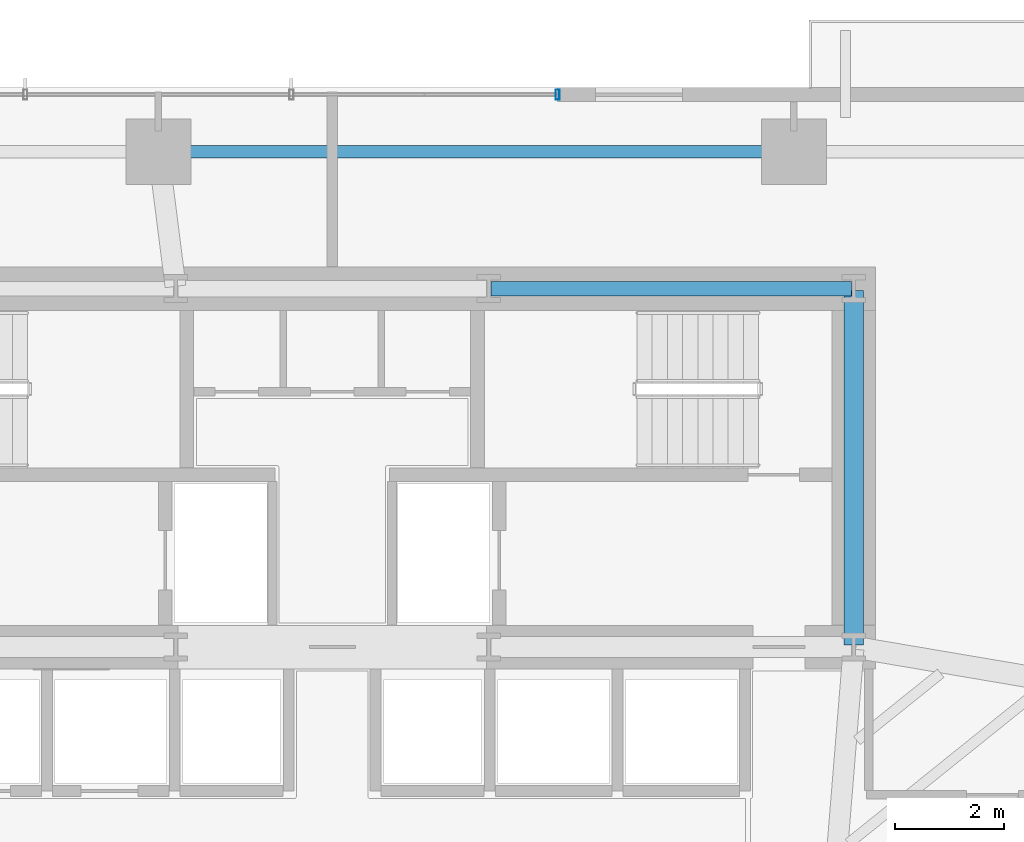
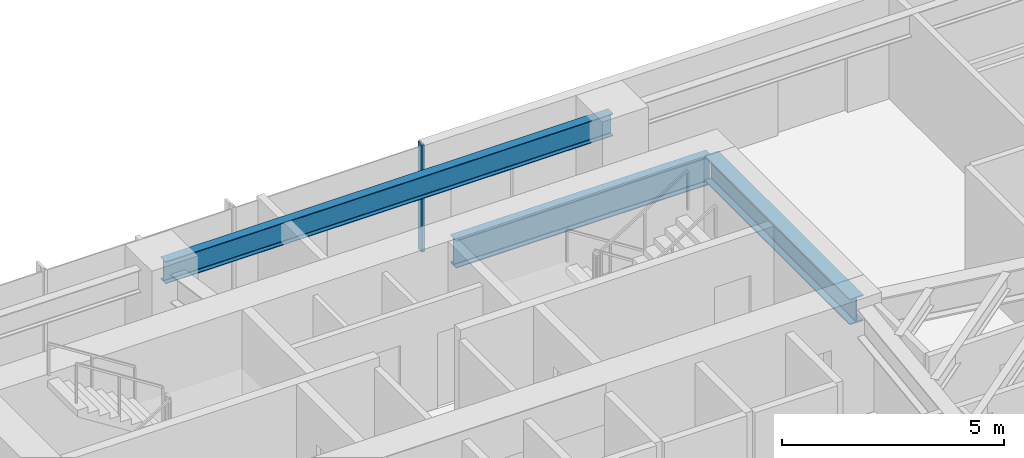
# One storey, part 15 of 25: 3 beams, 1 member, 1 element without a shape of its own.
"""IFC4 building model written with IfcOpenShell, lengths in metres."""

from ifc_helpers import new_model, si_unit, direction, frame, origin, origin_2d, place, context, subcontext, project, spatial, hollow_rectangle, i_section, extrude, source, transform, mapped, material, material_profile, profile_set, type_object, type_shapes, element, aggregate, save


model = new_model("IFC4")

# Units and contexts
model_context = context("Model", 3, precision=1e-05, world=origin(), true_north=direction((0.0, 1.0)))
body_context = subcontext(model_context, "Body", "Model", "MODEL_VIEW")
ifc_project = project(units=[si_unit("LENGTHUNIT", "METRE"), si_unit("AREAUNIT", "SQUARE_METRE"), si_unit("VOLUMEUNIT", "CUBIC_METRE"), si_unit("PLANEANGLEUNIT", "RADIAN"), si_unit("MASSUNIT", "GRAM", prefix="KILO")], contexts=[model_context])

# Site, building, storey
site_placement = place(None, origin())
site = spatial("IfcSite", under=ifc_project, at=site_placement, CompositionType="ELEMENT")
building_placement = place(site_placement, origin())
building = spatial("IfcBuilding", under=site, at=building_placement, Name="Astriad Promenade Condominiums", CompositionType="ELEMENT")
storey_placement = place(building_placement, frame((0.0, 0.0, 42.199951171875)))
storey = spatial("IfcBuildingStorey", under=building, at=storey_placement, Name="L11", CompositionType="ELEMENT", Elevation=42.199951171875)

# Beams
ifc_material_1 = material(Name="Steel ASTM A992 Grade 50", Category="steel")
ifc_material_profile_1 = material_profile(ifc_material_1, i_section(OverallWidth=0.267822265625, OverallDepth=0.76953125, WebThickness=0.015625, FlangeThickness=0.025390625, FilletRadius=0.021484375, at=origin_2d()), Name="W30X132")
ifc_profile_set_1 = profile_set([ifc_material_profile_1], Name="Steel ASTM A992 Grade 50")
beam_type_1 = type_object("IfcBeamType", Name="STEEL FLOOR GIRDER W30X132", PredefinedType="BEAM", material=ifc_profile_set_1)
shared_shape_1 = source(origin(), body_context, "Body", "SweptSolid", [
    extrude(i_section(OverallWidth=0.267822265625, OverallDepth=0.76953125, WebThickness=0.015625, FlangeThickness=0.025390625, FilletRadius=0.021484375, at=origin_2d()), origin(), (0.0, 0.0, 1.0), 6.64013671875),
])
type_shapes(beam_type_1, [shared_shape_1])
beam_1_placement = place(storey_placement, frame((38.919921875, 24.0, 2.55517578125), z_axis=(1.0, 0.0, 0.0), x_axis=(0.0, 1.0, 0.0)))
element("IfcBeam", 1, at=beam_1_placement, inside=storey, type_object=beam_type_1, Name="Core Ring Beam CG-N3-L11", PredefinedType="BEAM", context=body_context, shape_type="MappedRepresentation", body=[
    mapped(shared_shape_1, transform((0.0, 0.0, 0.0), scale=1.0)),
])
ifc_material_profile_2 = material_profile(ifc_material_1, i_section(OverallWidth=0.35791015625, OverallDepth=0.706298828125, WebThickness=0.018310546875, FlangeThickness=0.0302734375, FilletRadius=0.020263671875, at=origin_2d()), Name="W27X178")
ifc_profile_set_2 = profile_set([ifc_material_profile_2], Name="Steel ASTM A992 Grade 50")
beam_type_2 = type_object("IfcBeamType", Name="STEEL FLOOR GIRDER W27X178", PredefinedType="BEAM", material=ifc_profile_set_2)
shared_shape_2 = source(origin(), body_context, "Body", "SweptSolid", [
    extrude(i_section(OverallWidth=0.35791015625, OverallDepth=0.706298828125, WebThickness=0.018310546875, FlangeThickness=0.0302734375, FilletRadius=0.020263671875, at=origin_2d()), origin(), (0.0, 0.0, 1.0), 6.52001953125),
])
type_shapes(beam_type_2, [shared_shape_2])
beam_2_placement = place(storey_placement, frame((45.60009765625, 17.43994140625, 2.5869140625), z_axis=(0.0, 1.0, 0.0), x_axis=(-1.0, 0.0, 0.0)))
element("IfcBeam", 2, at=beam_2_placement, inside=storey, type_object=beam_type_2, Name="Core Ring Beam CG-E1-L11", PredefinedType="BEAM", context=body_context, shape_type="MappedRepresentation", body=[
    mapped(shared_shape_2, transform((0.0, 0.0, 0.0), scale=1.0)),
])
ifc_material_profile_3 = material_profile(ifc_material_1, i_section(OverallWidth=0.22900390625, OverallDepth=0.612060546875, WebThickness=0.011962890625, FlangeThickness=0.01953125, FilletRadius=0.017822265625, at=origin_2d()), Name="W24X84")
ifc_profile_set_3 = profile_set([ifc_material_profile_3], Name="Steel ASTM A992 Grade 50")
beam_type_3 = type_object("IfcBeamType", Name="STEEL SPANDREL BEAM W24X84", PredefinedType="SPANDREL", material=ifc_profile_set_3)
shared_shape_3 = source(origin(), body_context, "Body", "SweptSolid", [
    extrude(i_section(OverallWidth=0.22900390625, OverallDepth=0.612060546875, WebThickness=0.011962890625, FlangeThickness=0.01953125, FilletRadius=0.017822265625, at=origin_2d()), origin(), (0.0, 0.0, 1.0), 11.619873046875),
])
type_shapes(beam_type_3, [shared_shape_3])
beam_3_placement = place(storey_placement, frame((44.4599609375, 26.52001953125, 2.634033203125), z_axis=(-1.0, 0.0, 0.0), x_axis=(0.0, -1.0, 0.0)))
element("IfcBeam", 3, at=beam_3_placement, inside=storey, type_object=beam_type_3, Name="Perimeter Spandrel Beam SP-N3-L11", PredefinedType="SPANDREL", context=body_context, shape_type="MappedRepresentation", body=[
    mapped(shared_shape_3, transform((0.0, 0.0, 0.0), scale=1.0)),
])

# Curtain wall, member
ifc_material_2 = material(Name="Anodised aluminium Black Dark Glass Unitised", Category="aluminium")
curtain_wall_type = type_object("IfcCurtainWallType", Name="CW-B1-DARK", PredefinedType="USERDEFINED", material=ifc_material_2)
curtain_wall_placement = place(storey_placement, origin())
curtain_wall = element("IfcCurtainWall", 4, at=curtain_wall_placement, inside=storey, type_object=curtain_wall_type, Name="CW-L11-N", ObjectType="UNITISED_CURTAIN_WALL", PredefinedType="USERDEFINED")
ifc_material_3 = material(Name="Anodised aluminium 6063-T6 Black", Category="aluminium")
ifc_material_profile_4 = material_profile(ifc_material_3, hollow_rectangle(XDim=0.074951171875, YDim=0.18505859375, WallThickness=0.00439453125, at=origin_2d()), Name="ALU-MUL-75X185")
ifc_profile_set_4 = profile_set([ifc_material_profile_4], Name="Anodised aluminium 6063-T6 Black")
member_type = type_object("IfcMemberType", Name="MUL-ALU-MUL-75X185", PredefinedType="MULLION", material=ifc_profile_set_4)
shared_shape_4 = source(origin(), body_context, "Body", "SweptSolid", [
    extrude(hollow_rectangle(XDim=0.074951171875, YDim=0.18505859375, WallThickness=0.00439453125, at=origin_2d()), origin(), (0.0, 0.0, 1.0), 2.93994140625),
])
type_shapes(member_type, [shared_shape_4])
member_placement = place(storey_placement, frame((40.14990234375, 27.570068359375, 0.0), z_axis=(0.0, 0.0, 1.0), x_axis=(1.0, 0.0, 0.0)))
member = element("IfcMember", 5, at=member_placement, type_object=member_type, Name="CW-L11-N-MUL-03", PredefinedType="MULLION", context=body_context, shape_type="MappedRepresentation", body=[
    mapped(shared_shape_4, transform((0.0, 0.0, 0.0), scale=1.0)),
])
aggregate(curtain_wall, [member])

save(model, "model.ifc")
